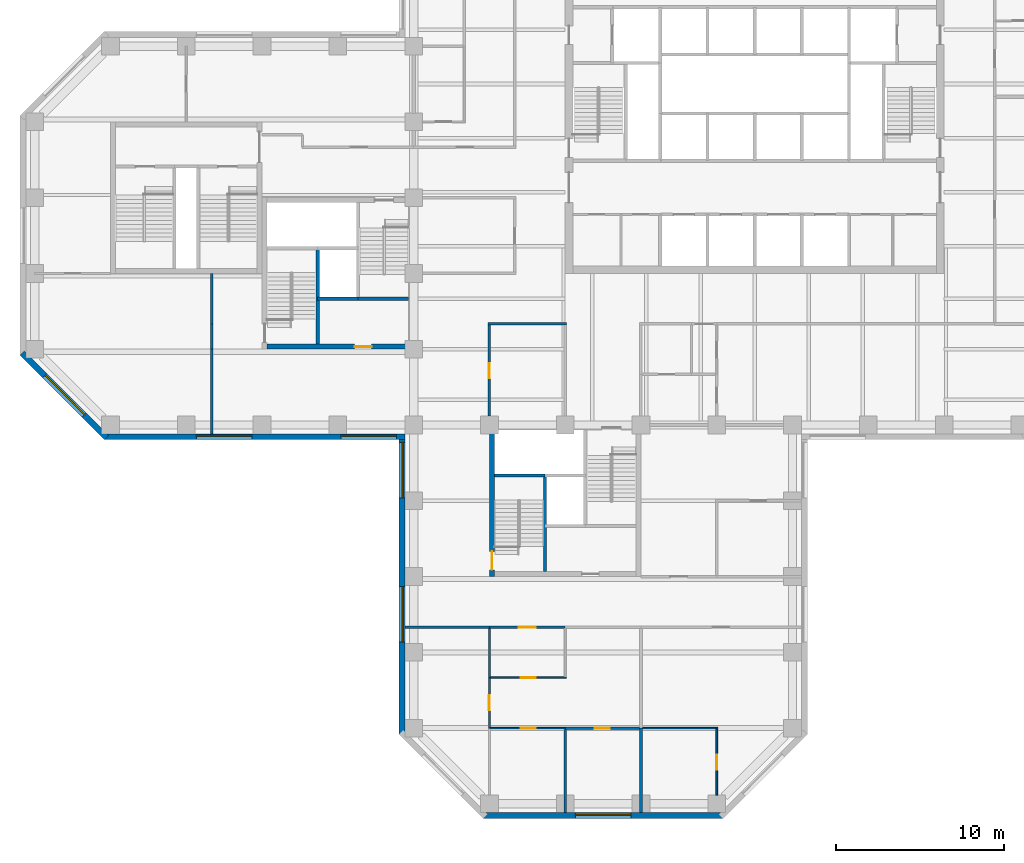
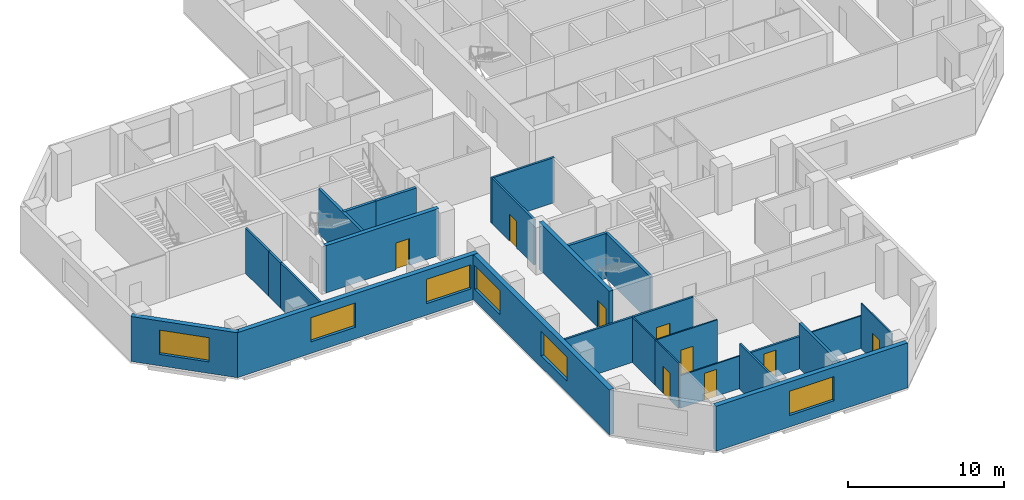
# One storey, part 3 of 11: 27 walls, 9 doors, 6 windows, 15 openings.
"""IFC4 building model written with IfcOpenShell, lengths in metres."""

from ifc_helpers import new_model, si_unit, direction, frame, frame_2d, origin, place, context, subcontext, project, spatial, rectangle, extrude, material, layer, layer_set, constituent, constituent_set, type_object, element, fill, save


model = new_model("IFC4")

# Units and contexts
model_context = context("Model", 3, precision=1e-05, world=origin(), true_north=direction((0.0, 1.0)))
body_context = subcontext(model_context, "Body", "Model", "MODEL_VIEW")
ifc_project = project(units=[si_unit("LENGTHUNIT", "METRE"), si_unit("AREAUNIT", "SQUARE_METRE"), si_unit("VOLUMEUNIT", "CUBIC_METRE"), si_unit("PLANEANGLEUNIT", "RADIAN"), si_unit("MASSUNIT", "GRAM", prefix="KILO")], contexts=[model_context])

# Site, building, storey
site_placement = place(None, origin())
site = spatial("IfcSite", under=ifc_project, at=site_placement, CompositionType="ELEMENT")
building_placement = place(site_placement, origin())
building = spatial("IfcBuilding", under=site, at=building_placement, Name="Quoin Convention Tower", CompositionType="ELEMENT")
storey_placement = place(building_placement, frame((0.0, 0.0, 115.89990234375)))
storey = spatial("IfcBuildingStorey", under=building, at=storey_placement, Name="L30", CompositionType="ELEMENT", Elevation=115.89990234375)

# Wall
ifc_material_1 = material(Name="Plasterboard")
ifc_layer_1 = layer(ifc_material_1, 0.012451171875, Name="Finish")
ifc_material_2 = material(Name="Steel stud framing", Category="steel")
ifc_layer_2 = layer(ifc_material_2, 0.125, Name="Structure")
ifc_layer_3 = layer(ifc_material_1, 0.012451171875, Name="Finish")
ifc_layer_set_1 = layer_set([ifc_layer_1, ifc_layer_2, ifc_layer_3], Name="Steel stud framing")
wall_type_1 = type_object("IfcWallType", Name="Acoustic partition 150", PredefinedType="PARTITIONING", material=ifc_layer_set_1)
wall_1_placement = place(storey_placement, frame((45.0, 17.47509765625, 0.0), z_axis=(0.0, 0.0, 1.0), x_axis=(0.0, 1.0, 0.0)))
element("IfcWall", 1, at=wall_1_placement, inside=storey, type_object=wall_type_1, Name="pw-L30-059", PredefinedType="PARTITIONING", context=body_context, shape_type="SweptSolid", body=[
    extrude(rectangle(XDim=4.949951171875, YDim=0.14990234375, at=frame_2d((2.47509765625, 0.0))), origin(), (0.0, 0.0, 1.0), 3.550048828125),
])

# Wall, opening, door
ifc_layer_4 = layer(ifc_material_1, 0.012451171875, Name="Finish")
ifc_layer_5 = layer(ifc_material_2, 0.125, Name="Structure")
ifc_layer_6 = layer(ifc_material_1, 0.012451171875, Name="Finish")
ifc_layer_set_2 = layer_set([ifc_layer_4, ifc_layer_5, ifc_layer_6], Name="Steel stud framing")
wall_type_2 = type_object("IfcWallType", Name="Acoustic partition 150 under beam 1000", PredefinedType="PARTITIONING", material=ifc_layer_set_2)
wall_2_placement = place(storey_placement, frame((45.0, 22.5, 0.0), z_axis=(0.0, 0.0, 1.0), x_axis=(1.0, 0.0, 0.0)))
wall_2 = element("IfcWall", 2, at=wall_2_placement, inside=storey, type_object=wall_type_2, Name="pw-L30-002", PredefinedType="PARTITIONING", context=body_context, shape_type="SweptSolid", body=[
    extrude(rectangle(XDim=4.39990234375, YDim=0.14990234375, at=frame_2d((2.199951171875, 0.0))), origin(), (0.0, 0.0, 1.0), 2.550048828125),
])
opening_1_placement = place(wall_2_placement, frame((1.75, 0.0, 0.0)))
opening_1 = element("IfcOpeningElement", 3, at=opening_1_placement, cuts=wall_2, Name="Opening DOL6-02", PredefinedType="OPENING", context=body_context, shape_type="SweptSolid", body=[
    extrude(rectangle(XDim=0.89990234375, YDim=2.10009765625, at=frame_2d((0.449951171875, 1.050048828125))), frame((0.0, 0.0849609375, 0.0), z_axis=(0.0, -1.0, 0.0), x_axis=(1.0, 0.0, 0.0)), (0.0, 0.0, 1.0), 0.169921875),
])
ifc_material_3 = material(Name="Steel door leaf", Category="steel")
door_type_1 = type_object("IfcDoorType", Name="Office door 900 x 2100", OperationType="SINGLE_SWING_RIGHT", PredefinedType="DOOR", material=ifc_material_3)
door_1_placement = place(opening_1_placement, origin())
door_1 = element("IfcDoor", 4, at=door_1_placement, inside=storey, type_object=door_type_1, Name="dr-L30-13", OperationType="SINGLE_SWING_RIGHT", OverallHeight=2.10009765625, OverallWidth=0.89990234375, PredefinedType="DOOR", context=body_context, shape_type="SweptSolid", body=[
    extrude(rectangle(XDim=0.89990234375, YDim=2.10009765625, at=frame_2d((0.449951171875, 1.050048828125))), frame((0.0, 0.02490234375, 0.0), z_axis=(0.0, -1.0, 0.0), x_axis=(1.0, 0.0, 0.0)), (0.0, 0.0, 1.0), 0.050048828125),
])
fill(opening_1, door_1)

# Wall, opening, window
ifc_material_4 = material(Name="Brick masonry", Category="masonry")
ifc_layer_7 = layer(ifc_material_4, 0.35009765625)
ifc_layer_set_3 = layer_set([ifc_layer_7], Name="Brick masonry")
wall_type_3 = type_object("IfcWallType", Name="Brick facade wall", PredefinedType="STANDARD", material=ifc_layer_set_3)
wall_3_placement = place(storey_placement, frame((12.748779296875, 44.76123046875, 0.0), z_axis=(0.0, 0.0, 1.0), x_axis=(0.707106781187, -0.707106781187, 0.0)))
wall_3 = element("IfcWall", 5, at=wall_3_placement, inside=storey, type_object=wall_type_3, Name="fw-L30-13500_45000", PredefinedType="STANDARD", context=body_context, shape_type="SweptSolid", body=[
    extrude(rectangle(XDim=7.088623046875, YDim=0.35009765625, at=frame_2d((3.54443359375, 0.0))), origin(), (0.0, 0.0, 1.0), 3.525146484375),
])
opening_2_placement = place(wall_3_placement, frame((1.894287109375, 0.0, 0.89990234375)))
opening_2 = element("IfcOpeningElement", 6, at=opening_2_placement, cuts=wall_3, Name="Opening W-02", PredefinedType="OPENING", context=body_context, shape_type="SweptSolid", body=[
    extrude(rectangle(XDim=3.300048828125, YDim=1.89990234375, at=frame_2d((1.64990234375, 0.949951171875))), frame((0.0, 0.18505859375, 0.0), z_axis=(0.0, -1.0, 0.0), x_axis=(1.0, 0.0, 0.0)), (0.0, 0.0, 1.0), 0.3701171875),
])
ifc_material_5 = material(Name="Aluminium", Category="aluminium")
ifc_constituent_1 = constituent(ifc_material_5, Name="Frame")
ifc_material_6 = material(Name="Insulated glass", Category="glass")
ifc_constituent_2 = constituent(ifc_material_6, Name="Glazing")
ifc_constituent_set = constituent_set(constituents=[ifc_constituent_1, ifc_constituent_2], Name="Aluminium")
window_type = type_object("IfcWindowType", Name="Office window", PartitioningType="DOUBLE_PANEL_VERTICAL", PredefinedType="WINDOW", material=ifc_constituent_set)
window_1_placement = place(opening_2_placement, origin())
window_1 = element("IfcWindow", 7, at=window_1_placement, inside=storey, type_object=window_type, Name="win-L30-15255_42255", OverallHeight=1.89990234375, OverallWidth=3.300048828125, PartitioningType="SINGLE_PANEL", PredefinedType="WINDOW", context=body_context, shape_type="SweptSolid", body=[
    extrude(rectangle(XDim=3.300048828125, YDim=1.89990234375, at=frame_2d((1.64990234375, 0.949951171875))), frame((0.0, 0.0849609375, 0.0), z_axis=(0.0, -1.0, 0.0), x_axis=(1.0, 0.0, 0.0)), (0.0, 0.0, 1.0), 0.06005859375),
])
fill(opening_2, window_1)

# Wall, openings, windows
wall_4_placement = place(storey_placement, frame((17.6376953125, 39.800048828125, 0.0), z_axis=(0.0, 0.0, 1.0), x_axis=(1.0, 0.0, 0.0)))
wall_4 = element("IfcWall", 8, at=wall_4_placement, inside=storey, type_object=wall_type_3, Name="fw-L30-18000_40500", PredefinedType="STANDARD", context=body_context, shape_type="SweptSolid", body=[
    extrude(rectangle(XDim=17.83740234375, YDim=0.35009765625, at=frame_2d((8.918701171875, 0.0))), origin(), (0.0, 0.0, 1.0), 3.525146484375),
])
opening_3_placement = place(wall_4_placement, frame((5.46240234375, 0.0, 0.89990234375)))
opening_3 = element("IfcOpeningElement", 9, at=opening_3_placement, cuts=wall_4, Name="Opening W-02", PredefinedType="OPENING", context=body_context, shape_type="SweptSolid", body=[
    extrude(rectangle(XDim=3.300048828125, YDim=1.89990234375, at=frame_2d((1.64990234375, 0.949951171875))), frame((0.0, 0.18505859375, 0.0), z_axis=(0.0, -1.0, 0.0), x_axis=(1.0, 0.0, 0.0)), (0.0, 0.0, 1.0), 0.3701171875),
])
opening_4_placement = place(wall_4_placement, frame((14.037353515625, 0.0, 0.89990234375)))
opening_4 = element("IfcOpeningElement", 10, at=opening_4_placement, cuts=wall_4, Name="Opening W-02", PredefinedType="OPENING", context=body_context, shape_type="SweptSolid", body=[
    extrude(rectangle(XDim=3.300048828125, YDim=1.89990234375, at=frame_2d((1.64990234375, 0.949951171875))), frame((0.0, 0.18505859375, 0.0), z_axis=(0.0, -1.0, 0.0), x_axis=(1.0, 0.0, 0.0)), (0.0, 0.0, 1.0), 0.3701171875),
])
window_2_placement = place(opening_3_placement, origin())
window_2 = element("IfcWindow", 11, at=window_2_placement, inside=storey, type_object=window_type, Name="win-L30-24750_39800", OverallHeight=1.89990234375, OverallWidth=3.300048828125, PartitioningType="SINGLE_PANEL", PredefinedType="WINDOW", context=body_context, shape_type="SweptSolid", body=[
    extrude(rectangle(XDim=3.300048828125, YDim=1.89990234375, at=frame_2d((1.64990234375, 0.949951171875))), frame((0.0, 0.0849609375, 0.0), z_axis=(0.0, -1.0, 0.0), x_axis=(1.0, 0.0, 0.0)), (0.0, 0.0, 1.0), 0.06005859375),
])
fill(opening_3, window_2)
window_3_placement = place(opening_4_placement, origin())
window_3 = element("IfcWindow", 12, at=window_3_placement, inside=storey, type_object=window_type, Name="win-L30-33750_39800", OverallHeight=1.89990234375, OverallWidth=3.300048828125, PartitioningType="SINGLE_PANEL", PredefinedType="WINDOW", context=body_context, shape_type="SweptSolid", body=[
    extrude(rectangle(XDim=3.300048828125, YDim=1.89990234375, at=frame_2d((1.64990234375, 0.949951171875))), frame((0.0, 0.0849609375, 0.0), z_axis=(0.0, -1.0, 0.0), x_axis=(1.0, 0.0, 0.0)), (0.0, 0.0, 1.0), 0.06005859375),
])
fill(opening_4, window_3)

wall_5_placement = place(storey_placement, frame((35.300048828125, 39.97509765625, 0.0), z_axis=(0.0, 0.0, 1.0), x_axis=(0.0, -1.0, 0.0)))
wall_5 = element("IfcWall", 13, at=wall_5_placement, inside=storey, type_object=wall_type_3, Name="fw-L30-36000_40500", PredefinedType="STANDARD", context=body_context, shape_type="SweptSolid", body=[
    extrude(rectangle(XDim=17.83740234375, YDim=0.35009765625, at=frame_2d((8.918701171875, 0.0))), origin(), (0.0, 0.0, 1.0), 3.525146484375),
])
opening_5_placement = place(wall_5_placement, frame((0.5, 0.0, 0.89990234375)))
opening_5 = element("IfcOpeningElement", 14, at=opening_5_placement, cuts=wall_5, Name="Opening W-02", PredefinedType="OPENING", context=body_context, shape_type="SweptSolid", body=[
    extrude(rectangle(XDim=3.300048828125, YDim=1.89990234375, at=frame_2d((1.64990234375, 0.949951171875))), frame((0.0, 0.18505859375, 0.0), z_axis=(0.0, -1.0, 0.0), x_axis=(1.0, 0.0, 0.0)), (0.0, 0.0, 1.0), 0.3701171875),
])
opening_6_placement = place(wall_5_placement, frame((9.074951171875, 0.0, 0.89990234375)))
opening_6 = element("IfcOpeningElement", 15, at=opening_6_placement, cuts=wall_5, Name="Opening W-02", PredefinedType="OPENING", context=body_context, shape_type="SweptSolid", body=[
    extrude(rectangle(XDim=3.300048828125, YDim=1.89990234375, at=frame_2d((1.64990234375, 0.949951171875))), frame((0.0, 0.18505859375, 0.0), z_axis=(0.0, -1.0, 0.0), x_axis=(1.0, 0.0, 0.0)), (0.0, 0.0, 1.0), 0.3701171875),
])
window_4_placement = place(opening_5_placement, origin())
window_4 = element("IfcWindow", 16, at=window_4_placement, inside=storey, type_object=window_type, Name="win-L30-35300_38250", OverallHeight=1.89990234375, OverallWidth=3.300048828125, PartitioningType="SINGLE_PANEL", PredefinedType="WINDOW", context=body_context, shape_type="SweptSolid", body=[
    extrude(rectangle(XDim=3.300048828125, YDim=1.89990234375, at=frame_2d((1.64990234375, 0.949951171875))), frame((0.0, 0.0849609375, 0.0), z_axis=(0.0, -1.0, 0.0), x_axis=(1.0, 0.0, 0.0)), (0.0, 0.0, 1.0), 0.06005859375),
])
fill(opening_5, window_4)
window_5_placement = place(opening_6_placement, origin())
window_5 = element("IfcWindow", 17, at=window_5_placement, inside=storey, type_object=window_type, Name="win-L30-35300_29250", OverallHeight=1.89990234375, OverallWidth=3.300048828125, PartitioningType="SINGLE_PANEL", PredefinedType="WINDOW", context=body_context, shape_type="SweptSolid", body=[
    extrude(rectangle(XDim=3.300048828125, YDim=1.89990234375, at=frame_2d((1.64990234375, 0.949951171875))), frame((0.0, 0.0849609375, 0.0), z_axis=(0.0, -1.0, 0.0), x_axis=(1.0, 0.0, 0.0)), (0.0, 0.0, 1.0), 0.06005859375),
])
fill(opening_6, window_5)

# Wall, opening, window
wall_6_placement = place(storey_placement, frame((40.1376953125, 17.300048828125, 0.0), z_axis=(0.0, 0.0, 1.0), x_axis=(1.0, 0.0, 0.0)))
wall_6 = element("IfcWall", 18, at=wall_6_placement, inside=storey, type_object=wall_type_3, Name="fw-L30-40500_18000", PredefinedType="STANDARD", context=body_context, shape_type="SweptSolid", body=[
    extrude(rectangle(XDim=14.224609375, YDim=0.35009765625, at=frame_2d((7.1123046875, 0.0))), origin(), (0.0, 0.0, 1.0), 3.525146484375),
])
opening_7_placement = place(wall_6_placement, frame((5.46240234375, 0.0, 0.89990234375)))
opening_7 = element("IfcOpeningElement", 19, at=opening_7_placement, cuts=wall_6, Name="Opening W-02", PredefinedType="OPENING", context=body_context, shape_type="SweptSolid", body=[
    extrude(rectangle(XDim=3.300048828125, YDim=1.89990234375, at=frame_2d((1.64990234375, 0.949951171875))), frame((0.0, 0.18505859375, 0.0), z_axis=(0.0, -1.0, 0.0), x_axis=(1.0, 0.0, 0.0)), (0.0, 0.0, 1.0), 0.3701171875),
])
window_6_placement = place(opening_7_placement, origin())
window_6 = element("IfcWindow", 20, at=window_6_placement, inside=storey, type_object=window_type, Name="win-L30-47250_17300", OverallHeight=1.89990234375, OverallWidth=3.300048828125, PartitioningType="SINGLE_PANEL", PredefinedType="WINDOW", context=body_context, shape_type="SweptSolid", body=[
    extrude(rectangle(XDim=3.300048828125, YDim=1.89990234375, at=frame_2d((1.64990234375, 0.949951171875))), frame((0.0, 0.0849609375, 0.0), z_axis=(0.0, -1.0, 0.0), x_axis=(1.0, 0.0, 0.0)), (0.0, 0.0, 1.0), 0.06005859375),
])
fill(opening_7, window_6)

# Walls
ifc_material_7 = material(Name="Concrete C50", Category="concrete")
ifc_layer_8 = layer(ifc_material_7, 0.199951171875)
ifc_layer_set_4 = layer_set([ifc_layer_8], Name="Concrete C50")
wall_type_4 = type_object("IfcWallType", Name="Core shaft wall", PredefinedType="SOLIDWALL", material=ifc_layer_set_4)
wall_7_placement = place(storey_placement, frame((30.300048828125, 48.0, 0.0), z_axis=(0.0, 0.0, 1.0), x_axis=(1.0, 0.0, 0.0)))
element("IfcWall", 21, at=wall_7_placement, inside=storey, type_object=wall_type_4, Name="cr-P2-L30-h3000_3300", PredefinedType="SOLIDWALL", context=body_context, shape_type="SweptSolid", body=[
    extrude(rectangle(XDim=2.39990234375, YDim=0.199951171875, at=frame_2d((1.199951171875, 0.0))), origin(), (0.0, 0.0, 1.0), 3.550048828125),
])
wall_8_placement = place(storey_placement, frame((32.699951171875, 48.0, 0.0), z_axis=(0.0, 0.0, 1.0), x_axis=(1.0, 0.0, 0.0)))
element("IfcWall", 22, at=wall_8_placement, inside=storey, type_object=wall_type_4, Name="cr-P2-L30-h3000_5700", PredefinedType="SOLIDWALL", context=body_context, shape_type="SweptSolid", body=[
    extrude(rectangle(XDim=3.0, YDim=0.199951171875, at=frame_2d((1.5, 0.0))), origin(), (0.0, 0.0, 1.0), 3.550048828125),
])
wall_9_placement = place(storey_placement, frame((30.300048828125, 45.300048828125, 0.0), z_axis=(0.0, 0.0, 1.0), x_axis=(0.0, 1.0, 0.0)))
element("IfcWall", 23, at=wall_9_placement, inside=storey, type_object=wall_type_4, Name="cr-P2-L30-v3300_300", PredefinedType="SOLIDWALL", context=body_context, shape_type="SweptSolid", body=[
    extrude(rectangle(XDim=5.699951171875, YDim=0.199951171875, at=frame_2d((2.85009765625, 0.0))), origin(), (0.0, 0.0, 1.0), 3.550048828125),
])
wall_10_placement = place(storey_placement, frame((40.800048828125, 37.5, 0.0), z_axis=(0.0, 0.0, 1.0), x_axis=(1.0, 0.0, 0.0)))
element("IfcWall", 24, at=wall_10_placement, inside=storey, type_object=wall_type_4, Name="cr-P3-L30-h6000_300", PredefinedType="SOLIDWALL", context=body_context, shape_type="SweptSolid", body=[
    extrude(rectangle(XDim=3.0, YDim=0.199951171875, at=frame_2d((1.5, 0.0))), origin(), (0.0, 0.0, 1.0), 3.550048828125),
])
wall_11_placement = place(storey_placement, frame((43.800048828125, 31.800048828125, 0.0), z_axis=(0.0, 0.0, 1.0), x_axis=(0.0, 1.0, 0.0)))
element("IfcWall", 25, at=wall_11_placement, inside=storey, type_object=wall_type_4, Name="cr-P3-L30-v3300_300", PredefinedType="SOLIDWALL", context=body_context, shape_type="SweptSolid", body=[
    extrude(rectangle(XDim=5.699951171875, YDim=0.199951171875, at=frame_2d((2.85009765625, 0.0))), origin(), (0.0, 0.0, 1.0), 3.550048828125),
])
ifc_layer_9 = layer(ifc_material_1, 0.012451171875, Name="Finish")
ifc_layer_10 = layer(ifc_material_2, 0.125, Name="Structure")
ifc_layer_11 = layer(ifc_material_1, 0.012451171875, Name="Finish")
ifc_layer_set_5 = layer_set([ifc_layer_9, ifc_layer_10, ifc_layer_11], Name="Steel stud framing")
wall_type_5 = type_object("IfcWallType", Name="Corridor wall 150", PredefinedType="PARTITIONING", material=ifc_layer_set_5)
wall_12_placement = place(storey_placement, frame((35.47509765625, 28.5, 0.0), z_axis=(0.0, 0.0, 1.0), x_axis=(1.0, 0.0, 0.0)))
element("IfcWall", 26, at=wall_12_placement, inside=storey, type_object=wall_type_5, Name="pw-L30-005", PredefinedType="PARTITIONING", context=body_context, shape_type="SweptSolid", body=[
    extrude(rectangle(XDim=5.02490234375, YDim=0.14990234375, at=frame_2d((2.512451171875, 0.0))), origin(), (0.0, 0.0, 1.0), 3.550048828125),
])

# Wall, opening, door
wall_13_placement = place(storey_placement, frame((40.5, 28.5, 0.0), z_axis=(0.0, 0.0, 1.0), x_axis=(1.0, 0.0, 0.0)))
wall_13 = element("IfcWall", 27, at=wall_13_placement, inside=storey, type_object=wall_type_5, Name="pw-L30-006", PredefinedType="PARTITIONING", context=body_context, shape_type="SweptSolid", body=[
    extrude(rectangle(XDim=4.5, YDim=0.14990234375, at=frame_2d((2.25, 0.0))), origin(), (0.0, 0.0, 1.0), 3.550048828125),
])
opening_8_placement = place(wall_13_placement, frame((1.75, 0.0, 0.0)))
opening_8 = element("IfcOpeningElement", 28, at=opening_8_placement, cuts=wall_13, Name="Opening DOL6-04", PredefinedType="OPENING", context=body_context, shape_type="SweptSolid", body=[
    extrude(rectangle(XDim=1.0, YDim=2.10009765625, at=frame_2d((0.5, 1.050048828125))), frame((0.0, 0.0849609375, 0.0), z_axis=(0.0, -1.0, 0.0), x_axis=(1.0, 0.0, 0.0)), (0.0, 0.0, 1.0), 0.169921875),
])
door_type_2 = type_object("IfcDoorType", Name="Tenancy entrance door 1000 x 2100", OperationType="DOUBLE_DOOR_SINGLE_SWING", PredefinedType="DOOR", material=ifc_material_3)
door_2_placement = place(opening_8_placement, frame((1.0, 0.0, 0.0), z_axis=(0.0, 0.0, 1.0), x_axis=(-1.0, 0.0, 0.0)))
door_2 = element("IfcDoor", 29, at=door_2_placement, inside=storey, type_object=door_type_2, Name="dr-L30-09", OperationType="DOUBLE_DOOR_SINGLE_SWING", OverallHeight=2.10009765625, OverallWidth=1.0, PredefinedType="DOOR", context=body_context, shape_type="SweptSolid", body=[
    extrude(rectangle(XDim=1.0, YDim=2.10009765625, at=frame_2d((0.5, 1.050048828125))), frame((0.0, 0.02490234375, 0.0), z_axis=(0.0, -1.0, 0.0), x_axis=(1.0, 0.0, 0.0)), (0.0, 0.0, 1.0), 0.050048828125),
])
fill(opening_8, door_2)

# Walls
wall_14_placement = place(storey_placement, frame((40.425048828125, 46.5, 0.0), z_axis=(0.0, 0.0, 1.0), x_axis=(1.0, 0.0, 0.0)))
element("IfcWall", 30, at=wall_14_placement, inside=storey, type_object=wall_type_5, Name="pw-L30-020", PredefinedType="PARTITIONING", context=body_context, shape_type="SweptSolid", body=[
    extrude(rectangle(XDim=4.64990234375, YDim=0.14990234375, at=frame_2d((2.324951171875, 0.0))), origin(), (0.0, 0.0, 1.0), 3.550048828125),
])
wall_15_placement = place(storey_placement, frame((24.0, 39.97509765625, 0.0), z_axis=(0.0, 0.0, 1.0), x_axis=(0.0, 1.0, 0.0)))
element("IfcWall", 31, at=wall_15_placement, inside=storey, type_object=wall_type_5, Name="pw-L30-068", PredefinedType="PARTITIONING", context=body_context, shape_type="SweptSolid", body=[
    extrude(rectangle(XDim=5.02490234375, YDim=0.14990234375, at=frame_2d((2.512451171875, 0.0))), origin(), (0.0, 0.0, 1.0), 3.550048828125),
])

# Wall, opening, door
wall_16_placement = place(storey_placement, frame((40.5, 41.02490234375, 0.0), z_axis=(0.0, 0.0, 1.0), x_axis=(0.0, 1.0, 0.0)))
wall_16 = element("IfcWall", 32, at=wall_16_placement, inside=storey, type_object=wall_type_5, Name="pw-L30-069", PredefinedType="PARTITIONING", context=body_context, shape_type="SweptSolid", body=[
    extrude(rectangle(XDim=5.400146484375, YDim=0.14990234375, at=frame_2d((2.7001953125, 0.0))), origin(), (0.0, 0.0, 1.0), 3.550048828125),
])
opening_9_placement = place(wall_16_placement, frame((2.25, 0.0, 0.0)))
opening_9 = element("IfcOpeningElement", 33, at=opening_9_placement, cuts=wall_16, Name="Opening DOL6-25", PredefinedType="OPENING", context=body_context, shape_type="SweptSolid", body=[
    extrude(rectangle(XDim=0.89990234375, YDim=2.10009765625, at=frame_2d((0.449951171875, 1.050048828125))), frame((0.0, 0.0849609375, 0.0), z_axis=(0.0, -1.0, 0.0), x_axis=(1.0, 0.0, 0.0)), (0.0, 0.0, 1.0), 0.169921875),
])
door_3_placement = place(opening_9_placement, frame((0.89990234375, 0.0, 0.0), z_axis=(0.0, 0.0, 1.0), x_axis=(-1.0, 0.0, 0.0)))
door_3 = element("IfcDoor", 34, at=door_3_placement, inside=storey, type_object=door_type_1, Name="dr-L30-02", OperationType="SINGLE_SWING_LEFT", OverallHeight=2.10009765625, OverallWidth=0.89990234375, PredefinedType="DOOR", context=body_context, shape_type="SweptSolid", body=[
    extrude(rectangle(XDim=0.89990234375, YDim=2.10009765625, at=frame_2d((0.449951171875, 1.050048828125))), frame((0.0, 0.02490234375, 0.0), z_axis=(0.0, -1.0, 0.0), x_axis=(1.0, 0.0, 0.0)), (0.0, 0.0, 1.0), 0.050048828125),
])
fill(opening_9, door_3)

# Walls
wall_17_placement = place(storey_placement, frame((24.0, 45.0, 0.0), z_axis=(0.0, 0.0, 1.0), x_axis=(0.0, 1.0, 0.0)))
element("IfcWall", 35, at=wall_17_placement, inside=storey, type_object=wall_type_5, Name="pw-L30-077", PredefinedType="PARTITIONING", context=body_context, shape_type="SweptSolid", body=[
    extrude(rectangle(XDim=1.5, YDim=0.14990234375, at=frame_2d((0.75, 0.0))), origin(), (0.0, 0.0, 1.0), 3.550048828125),
])
wall_18_placement = place(storey_placement, frame((24.0, 46.5, 0.0), z_axis=(0.0, 0.0, 1.0), x_axis=(0.0, 1.0, 0.0)))
element("IfcWall", 36, at=wall_18_placement, inside=storey, type_object=wall_type_5, Name="pw-L30-079", PredefinedType="PARTITIONING", context=body_context, shape_type="SweptSolid", body=[
    extrude(rectangle(XDim=3.0, YDim=0.14990234375, at=frame_2d((1.5, 0.0))), origin(), (0.0, 0.0, 1.0), 3.550048828125),
])

# Wall, opening, door
ifc_material_8 = material(Name="Concrete C65", Category="concrete")
ifc_layer_12 = layer(ifc_material_8, 0.300048828125)
ifc_layer_set_6 = layer_set([ifc_layer_12], Name="Concrete C65")
wall_type_6 = type_object("IfcWallType", Name="RC CORE WALL 300 C65", PredefinedType="SHEAR", material=ifc_layer_set_6)
wall_19_placement = place(storey_placement, frame((27.300048828125, 45.14990234375, 0.0), z_axis=(0.0, 0.0, 1.0), x_axis=(1.0, 0.0, 0.0)))
wall_19 = element("IfcWall", 37, at=wall_19_placement, inside=storey, type_object=wall_type_6, Name="cwl-P2-L30-S", PredefinedType="SHEAR", context=body_context, shape_type="SweptSolid", body=[
    extrude(rectangle(XDim=8.39990234375, YDim=0.300048828125, at=frame_2d((4.199951171875, 0.0))), origin(), (0.0, 0.0, 1.0), 3.7001953125),
])
opening_10_placement = place(wall_19_placement, frame((5.199951171875, 0.0, 0.0)))
opening_10 = element("IfcOpeningElement", 38, at=opening_10_placement, cuts=wall_19, Name="Opening DCV4-42", PredefinedType="OPENING", context=body_context, shape_type="SweptSolid", body=[
    extrude(rectangle(XDim=1.0, YDim=2.10009765625, at=frame_2d((0.5, 1.050048828125))), frame((0.0, 0.159912109375, 0.0), z_axis=(0.0, -1.0, 0.0), x_axis=(1.0, 0.0, 0.0)), (0.0, 0.0, 1.0), 0.320068359375),
])
door_type_3 = type_object("IfcDoorType", Name="Service door 1000 x 2100", OperationType="SINGLE_SWING_LEFT", PredefinedType="DOOR", material=ifc_material_3)
door_4_placement = place(opening_10_placement, origin())
door_4 = element("IfcDoor", 39, at=door_4_placement, inside=storey, type_object=door_type_3, Name="cd-P2-L30-R2-S", OperationType="SINGLE_SWING_LEFT", OverallHeight=2.10009765625, OverallWidth=1.0, PredefinedType="DOOR", context=body_context, shape_type="SweptSolid", body=[
    extrude(rectangle(XDim=1.0, YDim=2.10009765625, at=frame_2d((0.5, 1.050048828125))), frame((0.0, 0.02490234375, 0.0), z_axis=(0.0, -1.0, 0.0), x_axis=(1.0, 0.0, 0.0)), (0.0, 0.0, 1.0), 0.050048828125),
])
fill(opening_10, door_4)

wall_20_placement = place(storey_placement, frame((40.64990234375, 31.5, 0.0), z_axis=(0.0, 0.0, 1.0), x_axis=(0.0, 1.0, 0.0)))
wall_20 = element("IfcWall", 40, at=wall_20_placement, inside=storey, type_object=wall_type_6, Name="cwl-P3-L30-W", PredefinedType="SHEAR", context=body_context, shape_type="SweptSolid", body=[
    extrude(rectangle(XDim=9.0, YDim=0.300048828125, at=frame_2d((4.5, 0.0))), origin(), (0.0, 0.0, 1.0), 3.7001953125),
])
opening_11_placement = place(wall_20_placement, frame((0.39990234375, 0.0, 0.0)))
opening_11 = element("IfcOpeningElement", 41, at=opening_11_placement, cuts=wall_20, Name="Opening SD5", PredefinedType="OPENING", context=body_context, shape_type="SweptSolid", body=[
    extrude(rectangle(XDim=1.10009765625, YDim=2.10009765625, at=frame_2d((0.550048828125, 1.050048828125))), frame((0.0, 0.159912109375, 0.0), z_axis=(0.0, -1.0, 0.0), x_axis=(1.0, 0.0, 0.0)), (0.0, 0.0, 1.0), 0.320068359375),
])
door_type_4 = type_object("IfcDoorType", Name="Stair door 1100 x 2100", OperationType="SINGLE_SWING_RIGHT", PredefinedType="DOOR", material=ifc_material_3)
door_5_placement = place(opening_11_placement, frame((1.10009765625, 0.0, 0.0), z_axis=(0.0, 0.0, 1.0), x_axis=(-1.0, 0.0, 0.0)))
door_5 = element("IfcDoor", 42, at=door_5_placement, inside=storey, type_object=door_type_4, Name="cd-P3-L30-SA-W", OperationType="SINGLE_SWING_RIGHT", OverallHeight=2.10009765625, OverallWidth=1.10009765625, PredefinedType="DOOR", context=body_context, shape_type="SweptSolid", body=[
    extrude(rectangle(XDim=1.10009765625, YDim=2.10009765625, at=frame_2d((0.550048828125, 1.050048828125))), frame((0.0, 0.02490234375, 0.0), z_axis=(0.0, -1.0, 0.0), x_axis=(1.0, 0.0, 0.0)), (0.0, 0.0, 1.0), 0.050048828125),
])
fill(opening_11, door_5)

ifc_layer_13 = layer(ifc_material_1, 0.012451171875, Name="Finish")
ifc_layer_14 = layer(ifc_material_2, 0.074951171875, Name="Structure")
ifc_layer_15 = layer(ifc_material_1, 0.012451171875, Name="Finish")
ifc_layer_set_7 = layer_set([ifc_layer_13, ifc_layer_14, ifc_layer_15], Name="Steel stud framing")
wall_type_7 = type_object("IfcWallType", Name="Stud partition 100", PredefinedType="PARTITIONING", material=ifc_layer_set_7)
wall_21_placement = place(storey_placement, frame((40.550048828125, 25.5, 0.0), z_axis=(0.0, 0.0, 1.0), x_axis=(1.0, 0.0, 0.0)))
wall_21 = element("IfcWall", 43, at=wall_21_placement, inside=storey, type_object=wall_type_7, Name="pw-L30-004", PredefinedType="PARTITIONING", context=body_context, shape_type="SweptSolid", body=[
    extrude(rectangle(XDim=4.5, YDim=0.10009765625, at=frame_2d((2.25, 0.0))), origin(), (0.0, 0.0, 1.0), 3.550048828125),
])
opening_12_placement = place(wall_21_placement, frame((1.800048828125, 0.0, 0.0)))
opening_12 = element("IfcOpeningElement", 44, at=opening_12_placement, cuts=wall_21, Name="Opening DOL6-03", PredefinedType="OPENING", context=body_context, shape_type="SweptSolid", body=[
    extrude(rectangle(XDim=0.89990234375, YDim=2.10009765625, at=frame_2d((0.449951171875, 1.050048828125))), frame((0.0, 0.06005859375, 0.0), z_axis=(0.0, -1.0, 0.0), x_axis=(1.0, 0.0, 0.0)), (0.0, 0.0, 1.0), 0.1201171875),
])
door_6_placement = place(opening_12_placement, frame((0.89990234375, 0.0, 0.0), z_axis=(0.0, 0.0, 1.0), x_axis=(-1.0, 0.0, 0.0)))
door_6 = element("IfcDoor", 45, at=door_6_placement, inside=storey, type_object=door_type_1, Name="dr-L30-10", OperationType="SINGLE_SWING_LEFT", OverallHeight=2.10009765625, OverallWidth=0.89990234375, PredefinedType="DOOR", context=body_context, shape_type="SweptSolid", body=[
    extrude(rectangle(XDim=0.89990234375, YDim=2.10009765625, at=frame_2d((0.449951171875, 1.050048828125))), frame((0.0, 0.02490234375, 0.0), z_axis=(0.0, -1.0, 0.0), x_axis=(1.0, 0.0, 0.0)), (0.0, 0.0, 1.0), 0.050048828125),
])
fill(opening_12, door_6)

wall_22_placement = place(storey_placement, frame((54.0, 18.52490234375, 0.0), z_axis=(0.0, 0.0, 1.0), x_axis=(0.0, 1.0, 0.0)))
wall_22 = element("IfcWall", 46, at=wall_22_placement, inside=storey, type_object=wall_type_7, Name="pw-L30-062", PredefinedType="PARTITIONING", context=body_context, shape_type="SweptSolid", body=[
    extrude(rectangle(XDim=3.925048828125, YDim=0.10009765625, at=frame_2d((1.96240234375, 0.0))), origin(), (0.0, 0.0, 1.0), 3.550048828125),
])
opening_13_placement = place(wall_22_placement, frame((1.5, 0.0, 0.0)))
opening_13 = element("IfcOpeningElement", 47, at=opening_13_placement, cuts=wall_22, Name="Opening DOL6-23", PredefinedType="OPENING", context=body_context, shape_type="SweptSolid", body=[
    extrude(rectangle(XDim=0.89990234375, YDim=2.10009765625, at=frame_2d((0.449951171875, 1.050048828125))), frame((0.0, 0.06005859375, 0.0), z_axis=(0.0, -1.0, 0.0), x_axis=(1.0, 0.0, 0.0)), (0.0, 0.0, 1.0), 0.1201171875),
])
door_7_placement = place(opening_13_placement, frame((0.89990234375, 0.0, 0.0), z_axis=(0.0, 0.0, 1.0), x_axis=(-1.0, 0.0, 0.0)))
door_7 = element("IfcDoor", 48, at=door_7_placement, inside=storey, type_object=door_type_1, Name="dr-L30-15", OperationType="SINGLE_SWING_LEFT", OverallHeight=2.10009765625, OverallWidth=0.89990234375, PredefinedType="DOOR", context=body_context, shape_type="SweptSolid", body=[
    extrude(rectangle(XDim=0.89990234375, YDim=2.10009765625, at=frame_2d((0.449951171875, 1.050048828125))), frame((0.0, 0.02490234375, 0.0), z_axis=(0.0, -1.0, 0.0), x_axis=(1.0, 0.0, 0.0)), (0.0, 0.0, 1.0), 0.050048828125),
])
fill(opening_13, door_7)

wall_23_placement = place(storey_placement, frame((40.5, 22.5, 0.0), z_axis=(0.0, 0.0, 1.0), x_axis=(0.0, 1.0, 0.0)))
wall_23 = element("IfcWall", 49, at=wall_23_placement, inside=storey, type_object=wall_type_7, Name="pw-L30-063", PredefinedType="PARTITIONING", context=body_context, shape_type="SweptSolid", body=[
    extrude(rectangle(XDim=3.0, YDim=0.10009765625, at=frame_2d((1.5, 0.0))), origin(), (0.0, 0.0, 1.0), 3.550048828125),
])
opening_14_placement = place(wall_23_placement, frame((1.050048828125, 0.0, 0.0)))
opening_14 = element("IfcOpeningElement", 50, at=opening_14_placement, cuts=wall_23, Name="Opening DOL6-24", PredefinedType="OPENING", context=body_context, shape_type="SweptSolid", body=[
    extrude(rectangle(XDim=0.89990234375, YDim=2.10009765625, at=frame_2d((0.449951171875, 1.050048828125))), frame((0.0, 0.06005859375, 0.0), z_axis=(0.0, -1.0, 0.0), x_axis=(1.0, 0.0, 0.0)), (0.0, 0.0, 1.0), 0.1201171875),
])
door_8_placement = place(opening_14_placement, origin())
door_8 = element("IfcDoor", 51, at=door_8_placement, inside=storey, type_object=door_type_1, Name="dr-L30-11", OperationType="SINGLE_SWING_RIGHT", OverallHeight=2.10009765625, OverallWidth=0.89990234375, PredefinedType="DOOR", context=body_context, shape_type="SweptSolid", body=[
    extrude(rectangle(XDim=0.89990234375, YDim=2.10009765625, at=frame_2d((0.449951171875, 1.050048828125))), frame((0.0, 0.02490234375, 0.0), z_axis=(0.0, -1.0, 0.0), x_axis=(1.0, 0.0, 0.0)), (0.0, 0.0, 1.0), 0.050048828125),
])
fill(opening_14, door_8)

# Wall
wall_24_placement = place(storey_placement, frame((40.5, 25.5, 0.0), z_axis=(0.0, 0.0, 1.0), x_axis=(0.0, 1.0, 0.0)))
element("IfcWall", 52, at=wall_24_placement, inside=storey, type_object=wall_type_7, Name="pw-L30-065", PredefinedType="PARTITIONING", context=body_context, shape_type="SweptSolid", body=[
    extrude(rectangle(XDim=2.925048828125, YDim=0.10009765625, at=frame_2d((1.46240234375, 0.0))), origin(), (0.0, 0.0, 1.0), 3.550048828125),
])

# Wall, opening, door
ifc_layer_16 = layer(ifc_material_1, 0.012451171875, Name="Finish")
ifc_layer_17 = layer(ifc_material_2, 0.074951171875, Name="Structure")
ifc_layer_18 = layer(ifc_material_1, 0.012451171875, Name="Finish")
ifc_layer_set_8 = layer_set([ifc_layer_16, ifc_layer_17, ifc_layer_18], Name="Steel stud framing")
wall_type_8 = type_object("IfcWallType", Name="Stud partition 100 under beam 1000", PredefinedType="PARTITIONING", material=ifc_layer_set_8)
wall_25_placement = place(storey_placement, frame((40.550048828125, 22.5, 0.0), z_axis=(0.0, 0.0, 1.0), x_axis=(1.0, 0.0, 0.0)))
wall_25 = element("IfcWall", 53, at=wall_25_placement, inside=storey, type_object=wall_type_8, Name="pw-L30-001", PredefinedType="PARTITIONING", context=body_context, shape_type="SweptSolid", body=[
    extrude(rectangle(XDim=4.449951171875, YDim=0.10009765625, at=frame_2d((2.22509765625, 0.0))), origin(), (0.0, 0.0, 1.0), 2.550048828125),
])
opening_15_placement = place(wall_25_placement, frame((1.800048828125, 0.0, 0.0)))
opening_15 = element("IfcOpeningElement", 54, at=opening_15_placement, cuts=wall_25, Name="Opening DOL6-01", PredefinedType="OPENING", context=body_context, shape_type="SweptSolid", body=[
    extrude(rectangle(XDim=0.89990234375, YDim=2.10009765625, at=frame_2d((0.449951171875, 1.050048828125))), frame((0.0, 0.06005859375, 0.0), z_axis=(0.0, -1.0, 0.0), x_axis=(1.0, 0.0, 0.0)), (0.0, 0.0, 1.0), 0.1201171875),
])
door_9_placement = place(opening_15_placement, origin())
door_9 = element("IfcDoor", 55, at=door_9_placement, inside=storey, type_object=door_type_1, Name="dr-L30-12", OperationType="SINGLE_SWING_RIGHT", OverallHeight=2.10009765625, OverallWidth=0.89990234375, PredefinedType="DOOR", context=body_context, shape_type="SweptSolid", body=[
    extrude(rectangle(XDim=0.89990234375, YDim=2.10009765625, at=frame_2d((0.449951171875, 1.050048828125))), frame((0.0, 0.02490234375, 0.0), z_axis=(0.0, -1.0, 0.0), x_axis=(1.0, 0.0, 0.0)), (0.0, 0.0, 1.0), 0.050048828125),
])
fill(opening_15, door_9)

# Walls
wall_26_placement = place(storey_placement, frame((49.60009765625, 22.5, 0.0), z_axis=(0.0, 0.0, 1.0), x_axis=(1.0, 0.0, 0.0)))
element("IfcWall", 56, at=wall_26_placement, inside=storey, type_object=wall_type_8, Name="pw-L30-003", PredefinedType="PARTITIONING", context=body_context, shape_type="SweptSolid", body=[
    extrude(rectangle(XDim=4.449951171875, YDim=0.10009765625, at=frame_2d((2.22509765625, 0.0))), origin(), (0.0, 0.0, 1.0), 2.550048828125),
])
ifc_layer_19 = layer(ifc_material_1, 0.012451171875, Name="Finish")
ifc_layer_20 = layer(ifc_material_2, 0.175048828125, Name="Structure")
ifc_layer_21 = layer(ifc_material_1, 0.012451171875, Name="Finish")
ifc_layer_set_9 = layer_set([ifc_layer_19, ifc_layer_20, ifc_layer_21], Name="Steel stud framing")
wall_type_9 = type_object("IfcWallType", Name="Tenancy demising wall 200", PredefinedType="PARTITIONING", material=ifc_layer_set_9)
wall_27_placement = place(storey_placement, frame((49.5, 17.47509765625, 0.0), z_axis=(0.0, 0.0, 1.0), x_axis=(0.0, 1.0, 0.0)))
element("IfcWall", 57, at=wall_27_placement, inside=storey, type_object=wall_type_9, Name="pw-L30-060", PredefinedType="PARTITIONING", context=body_context, shape_type="SweptSolid", body=[
    extrude(rectangle(XDim=5.02490234375, YDim=0.199951171875, at=frame_2d((2.512451171875, 0.0))), origin(), (0.0, 0.0, 1.0), 3.550048828125),
])

save(model, "model.ifc")
